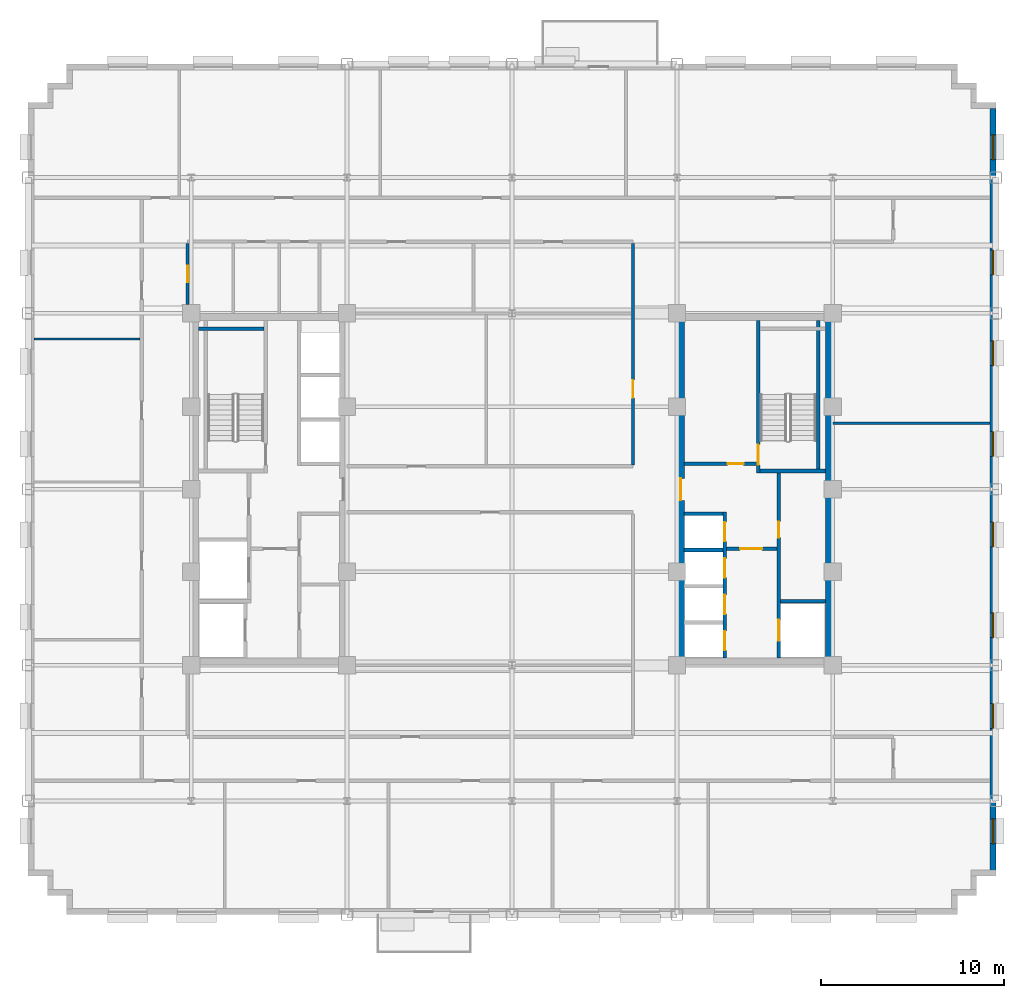
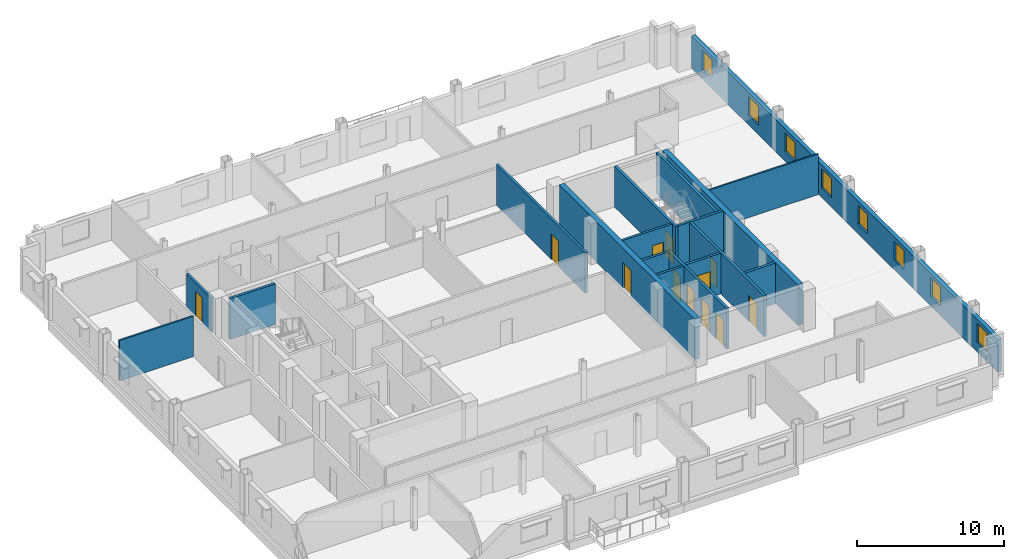
# One storey, part 8 of 14: 18 walls, 12 doors, 8 windows, 20 openings.
"""IFC4 building model written with IfcOpenShell, lengths in metres."""

import ifcopenshell
import ifcopenshell.guid

model = None  # the IFC model being written
_history = None  # IfcOwnerHistory: only IFC2X3 demands one
_inside = {}  # id of a spatial element -> (the spatial element, [elements in it])
_under = {}  # id of a project, library or spatial element -> (it, [spatial elements below it])
_declared = {}  # id of a project -> (the project, [libraries it declares])
_typed = {}  # id of a type object -> (the type object, [elements of that type])
_made_of = {}  # id of a material, layer set ... -> (it, [elements and type objects made of it])


def new_model(schema):
    """Start an empty IFC model of exactly this schema.

    Asked for "IFC4X3", IfcOpenShell would pick the latest addendum, in which some entities
    have other attributes; the version numbers below select the first issue.
    IFC2X3 requires an IfcOwnerHistory on every rooted entity: one is made here for all.
    """
    global model, _history
    if schema == "IFC4X3":
        model = ifcopenshell.file(schema_version=(4, 3, 0, 0))
    else:
        model = ifcopenshell.file(schema=schema)
    _inside.clear()
    _under.clear()
    _declared.clear()
    _typed.clear()
    _made_of.clear()
    _history = None
    if model.schema == "IFC2X3":
        org = make("IfcOrganization", Name="unknown")
        user = make(
            "IfcPersonAndOrganization",
            ThePerson=make("IfcPerson", FamilyName="unknown"),
            TheOrganization=org,
        )
        app = make(
            "IfcApplication",
            ApplicationDeveloper=org,
            Version="unknown",
            ApplicationFullName="unknown",
            ApplicationIdentifier="unknown",
        )
        _history = make(
            "IfcOwnerHistory",
            OwningUser=user,
            OwningApplication=app,
            ChangeAction="ADDED",
            CreationDate=0,
        )
    return model


def make(cls, **values):
    """One entity of the class cls with the attributes given. An attribute that is None is left unset."""
    return model.create_entity(
        cls, **{name: value for name, value in values.items() if value is not None}
    )


def rooted(cls, **values):
    """An entity with a GlobalId (a new one), such as an element, a storey or a relation."""
    return make(cls, GlobalId=ifcopenshell.guid.new(), OwnerHistory=_history, **values)


def si_unit(unit_type, name, prefix=None):
    """IfcSIUnit, for example si_unit("LENGTHUNIT", "METRE", prefix="MILLI")."""
    return make("IfcSIUnit", UnitType=unit_type, Prefix=prefix, Name=name)


def assignment(units):
    """IfcUnitAssignment: the units of a project."""
    return None if units is None else make("IfcUnitAssignment", Units=units)


def point(xyz):
    """IfcCartesianPoint."""
    return None if xyz is None else make("IfcCartesianPoint", Coordinates=xyz)


def direction(xyz):
    """IfcDirection."""
    return None if xyz is None else make("IfcDirection", DirectionRatios=xyz)


def frame(location, z_axis=None, x_axis=None):
    """IfcAxis2Placement3D, a coordinate frame: its origin and axes. An axis left out is left unset."""
    return make(
        "IfcAxis2Placement3D",
        Location=point(location),
        Axis=direction(z_axis),
        RefDirection=direction(x_axis),
    )


def frame_2d(location, x_axis=None):
    """IfcAxis2Placement2D, a coordinate frame in the plane: its origin and x axis."""
    return make(
        "IfcAxis2Placement2D", Location=point(location), RefDirection=direction(x_axis)
    )


def origin():
    """The frame at (0, 0, 0) with its axes left unset."""
    return frame((0.0, 0.0, 0.0))


def place(relative_to, where):
    """IfcLocalPlacement: puts the frame where relative to a parent placement (None: the world)."""
    return make(
        "IfcLocalPlacement", PlacementRelTo=relative_to, RelativePlacement=where
    )


def context(
    kind, dimensions, precision=None, world=None, true_north=None, identifier=None
):
    """IfcGeometricRepresentationContext, for example the 3D "Model" context."""
    return make(
        "IfcGeometricRepresentationContext",
        ContextIdentifier=identifier,
        ContextType=kind,
        CoordinateSpaceDimension=dimensions,
        Precision=precision,
        WorldCoordinateSystem=world,
        TrueNorth=true_north,
    )


def subcontext(parent, identifier, kind, view, scale=None):
    """IfcGeometricRepresentationSubContext, for example "Body" below "Model"."""
    return make(
        "IfcGeometricRepresentationSubContext",
        ContextIdentifier=identifier,
        ContextType=kind,
        ParentContext=parent,
        TargetScale=scale,
        TargetView=view,
    )


def project(units=None, contexts=None):
    """IfcProject with its units and contexts."""
    return rooted(
        "IfcProject",
        Name="project",
        RepresentationContexts=contexts,
        UnitsInContext=assignment(units),
    )


def spatial(cls, under=None, at=None, **own):
    """A site, building, storey or space (cls), placed at a placement, below another one or the project."""
    s = rooted(cls, ObjectPlacement=at, **own)
    if under is not None:
        _under.setdefault(under.id(), (under, []))[1].append(s)
    return s


def profile(cls, at=None, kind="AREA", **sizes):
    """A parametric profile (cls). Its sizes go by their IFC names, for example OverallWidth=200.0."""
    return make(cls, ProfileType=kind, Position=at, **sizes)


def rectangle(**sizes):
    """IfcRectangleProfileDef."""
    return profile("IfcRectangleProfileDef", **sizes)


def extrude(swept, where, along, depth):
    """IfcExtrudedAreaSolid: the profile swept, set in the frame where, extruded along a direction by depth."""
    return make(
        "IfcExtrudedAreaSolid",
        SweptArea=swept,
        Position=where,
        ExtrudedDirection=direction(along),
        Depth=depth,
    )


def shape(context_of_items, identifier, shape_type, items):
    """IfcShapeRepresentation: the items that make up one representation, for example the "Body"."""
    return make(
        "IfcShapeRepresentation",
        ContextOfItems=context_of_items,
        RepresentationIdentifier=identifier,
        RepresentationType=shape_type,
        Items=items,
    )


def source(mapping_origin, context_of_items, identifier, shape_type, items):
    """IfcRepresentationMap: a shape defined once, which mapped items show again and again."""
    return make(
        "IfcRepresentationMap",
        MappingOrigin=mapping_origin,
        MappedRepresentation=shape(context_of_items, identifier, shape_type, items),
    )


def transform(
    local_origin,
    x_axis=None,
    y_axis=None,
    z_axis=None,
    scale=None,
    scale2=None,
    scale3=None,
    uniform=True,
):
    """IfcCartesianTransformationOperator3D, or its non-uniform kind. x_axis, y_axis, z_axis: its Axis1, 2, 3."""
    if uniform:
        return make(
            "IfcCartesianTransformationOperator3D",
            Axis1=direction(x_axis),
            Axis2=direction(y_axis),
            LocalOrigin=point(local_origin),
            Scale=scale,
            Axis3=direction(z_axis),
        )
    return make(
        "IfcCartesianTransformationOperator3DnonUniform",
        Axis1=direction(x_axis),
        Axis2=direction(y_axis),
        LocalOrigin=point(local_origin),
        Scale=scale,
        Axis3=direction(z_axis),
        Scale2=scale2,
        Scale3=scale3,
    )


def mapped(mapping_source, mapping_target):
    """IfcMappedItem: shows the shape of a source again, moved by a transform."""
    return make(
        "IfcMappedItem", MappingSource=mapping_source, MappingTarget=mapping_target
    )


def material(Name=None, Category=None):
    """IfcMaterial."""
    return make("IfcMaterial", Name=Name, Category=Category)


def layer(
    of_material, thickness, ventilated=None, Name=None, Category=None, Priority=None
):
    """IfcMaterialLayer: one layer of a wall or slab, of a material (None: an air gap)."""
    return make(
        "IfcMaterialLayer",
        Material=of_material,
        LayerThickness=thickness,
        IsVentilated=ventilated,
        Name=Name,
        Category=Category,
        Priority=Priority,
    )


def layer_set(layers, Name=None):
    """IfcMaterialLayerSet."""
    return make("IfcMaterialLayerSet", MaterialLayers=layers, LayerSetName=Name)


def made_of(thing, what):
    """Note that an element or type object is made of a material, layer set ...; save() writes the relation."""
    if what is not None:
        _made_of.setdefault(what.id(), (what, []))[1].append(thing)
    return thing


def type_object(cls, material=None, **own):
    """A type object (cls), such as IfcWallType, which elements share."""
    return made_of(rooted(cls, **own), material)


def type_shapes(of_type, sources):
    """Give a type object the sources (RepresentationMaps) that its elements show as mapped items."""
    of_type.RepresentationMaps = sources


def element(
    cls,
    number,
    at=None,
    inside=None,
    cuts=None,
    type_object=None,
    material=None,
    context=None,
    identifier="Body",
    shape_type=None,
    held_by="IfcProductDefinitionShape",
    body=None,
    shapes=None,
    **own,
):
    """One element of the class cls, such as IfcWall. Its Tag is "e" and its number.

    at: its placement. inside: the storey or other place that contains it. cuts: it is an
    opening in that element (IfcRelVoidsElement). A single representation is given by context,
    identifier, shape_type and body (its items); several are given by shapes. held_by: the class
    of the entity that holds the representations. save() writes the other relations.
    """
    e = rooted(cls, Tag="e%d" % number, ObjectPlacement=at, **own)
    if body is not None:
        shapes = [shape(context, identifier, shape_type, body)]
    if shapes is not None:
        e.Representation = make(held_by, Representations=shapes)
    if inside is not None:
        _inside.setdefault(inside.id(), (inside, []))[1].append(e)
    if cuts is not None:
        rooted(
            "IfcRelVoidsElement", RelatingBuildingElement=cuts, RelatedOpeningElement=e
        )
    if type_object is not None:
        _typed.setdefault(type_object.id(), (type_object, []))[1].append(e)
    return made_of(e, material)


def fill(opening, filler):
    """IfcRelFillsElement: the door or window that sits in an opening."""
    return rooted(
        "IfcRelFillsElement",
        RelatingOpeningElement=opening,
        RelatedBuildingElement=filler,
    )


def aggregate(whole, parts):
    """IfcRelAggregates: a whole, such as a stair, and the parts it consists of."""
    return rooted("IfcRelAggregates", RelatingObject=whole, RelatedObjects=parts)


def save(model, path):
    """Write the relations noted so far, then the file.

    IfcRelAggregates (storeys below a building ...), IfcRelContainedInSpatialStructure (elements
    in a storey), IfcRelDefinesByType, IfcRelAssociatesMaterial and IfcRelDeclares: one each for
    every whole, place, type object, material and project.
    """
    for whole, parts in _under.values():
        aggregate(whole, parts)
    for where, things in _inside.values():
        rooted(
            "IfcRelContainedInSpatialStructure",
            RelatedElements=things,
            RelatingStructure=where,
        )
    for kind, things in _typed.values():
        rooted("IfcRelDefinesByType", RelatedObjects=things, RelatingType=kind)
    for what, things in _made_of.values():
        rooted("IfcRelAssociatesMaterial", RelatedObjects=things, RelatingMaterial=what)
    for by, libraries in _declared.values():
        rooted("IfcRelDeclares", RelatingContext=by, RelatedDefinitions=libraries)
    model.write(path)


model = new_model("IFC4")

# Units and contexts
model_context = context("Model", 3, precision=1e-05, world=origin(), true_north=direction((0.0, 1.0)))
body_context = subcontext(model_context, "Body", "Model", "MODEL_VIEW")
ifc_project = project(units=[si_unit("LENGTHUNIT", "METRE"), si_unit("AREAUNIT", "SQUARE_METRE"), si_unit("VOLUMEUNIT", "CUBIC_METRE"), si_unit("PLANEANGLEUNIT", "RADIAN"), si_unit("MASSUNIT", "GRAM", prefix="KILO")], contexts=[model_context])

# Site, building, storey
site_placement = place(None, origin())
site = spatial("IfcSite", under=ifc_project, at=site_placement, CompositionType="ELEMENT")
building_placement = place(site_placement, origin())
building = spatial("IfcBuilding", under=site, at=building_placement, Name="Nuvemarco Arch Tower", CompositionType="ELEMENT")
storey_placement = place(building_placement, frame((0.0, 0.0, 160.35009765625)))
storey = spatial("IfcBuildingStorey", under=building, at=storey_placement, Name="L42", CompositionType="ELEMENT", Elevation=160.35009765625)

# Wall, openings, windows
ifc_material_1 = material(Name="Precast concrete C45/55", Category="concrete")
ifc_layer_1 = layer(ifc_material_1, 0.320068359375, Name="EW-MID-320")
ifc_layer_set_1 = layer_set([ifc_layer_1], Name="Precast concrete C45/55")
wall_type_1 = type_object("IfcWallType", Name="EW-MID-320", PredefinedType="STANDARD", material=ifc_layer_set_1)
wall_1_placement = place(storey_placement, frame((26.239990234375, -20.783935546875, 0.0), z_axis=(0.0, 0.0, 1.0), x_axis=(0.0, 1.0, 0.0)))
wall_1 = element("IfcWall", 1, at=wall_1_placement, inside=storey, type_object=wall_type_1, Name="L42 exterior precast facade wall 6", PredefinedType="STANDARD", context=body_context, shape_type="SweptSolid", body=[
    extrude(rectangle(XDim=41.56787109375, YDim=0.320068359375, at=frame_2d((20.783935546875, 0.0))), origin(), (0.0, 0.0, 1.0), 2.704833984375),
])
opening_1_placement = place(wall_1_placement, frame((1.447998046875, 0.0, 0.800048828125)))
opening_1 = element("IfcOpeningElement", 2, at=opening_1_placement, cuts=wall_1, Name="Opening WN-6", PredefinedType="OPENING", context=body_context, shape_type="SweptSolid", body=[
    extrude(rectangle(XDim=1.35009765625, YDim=1.56005859375, at=frame_2d((0.675048828125, 0.780029296875))), frame((0.0, 0.169921875, 0.0), z_axis=(0.0, -1.0, 0.0), x_axis=(1.0, 0.0, 0.0)), (0.0, 0.0, 1.0), 0.340087890625),
])
opening_2_placement = place(wall_1_placement, frame((7.743896484375, 0.0, 0.800048828125)))
opening_2 = element("IfcOpeningElement", 3, at=opening_2_placement, cuts=wall_1, Name="Opening WN-6", PredefinedType="OPENING", context=body_context, shape_type="SweptSolid", body=[
    extrude(rectangle(XDim=1.35009765625, YDim=1.56005859375, at=frame_2d((0.675048828125, 0.780029296875))), frame((0.0, 0.169921875, 0.0), z_axis=(0.0, -1.0, 0.0), x_axis=(1.0, 0.0, 0.0)), (0.0, 0.0, 1.0), 0.340087890625),
])
opening_3_placement = place(wall_1_placement, frame((12.68994140625, 0.0, 0.800048828125)))
opening_3 = element("IfcOpeningElement", 4, at=opening_3_placement, cuts=wall_1, Name="Opening WN-6", PredefinedType="OPENING", context=body_context, shape_type="SweptSolid", body=[
    extrude(rectangle(XDim=1.35009765625, YDim=1.56005859375, at=frame_2d((0.675048828125, 0.780029296875))), frame((0.0, 0.169921875, 0.0), z_axis=(0.0, -1.0, 0.0), x_axis=(1.0, 0.0, 0.0)), (0.0, 0.0, 1.0), 0.340087890625),
])
opening_4_placement = place(wall_1_placement, frame((17.635986328125, 0.0, 0.800048828125)))
opening_4 = element("IfcOpeningElement", 5, at=opening_4_placement, cuts=wall_1, Name="Opening WN-6", PredefinedType="OPENING", context=body_context, shape_type="SweptSolid", body=[
    extrude(rectangle(XDim=1.35009765625, YDim=1.56005859375, at=frame_2d((0.675048828125, 0.780029296875))), frame((0.0, 0.169921875, 0.0), z_axis=(0.0, -1.0, 0.0), x_axis=(1.0, 0.0, 0.0)), (0.0, 0.0, 1.0), 0.340087890625),
])
opening_5_placement = place(wall_1_placement, frame((22.58203125, 0.0, 0.800048828125)))
opening_5 = element("IfcOpeningElement", 6, at=opening_5_placement, cuts=wall_1, Name="Opening WN-6", PredefinedType="OPENING", context=body_context, shape_type="SweptSolid", body=[
    extrude(rectangle(XDim=1.35009765625, YDim=1.56005859375, at=frame_2d((0.675048828125, 0.780029296875))), frame((0.0, 0.169921875, 0.0), z_axis=(0.0, -1.0, 0.0), x_axis=(1.0, 0.0, 0.0)), (0.0, 0.0, 1.0), 0.340087890625),
])
opening_6_placement = place(wall_1_placement, frame((27.528076171875, 0.0, 0.800048828125)))
opening_6 = element("IfcOpeningElement", 7, at=opening_6_placement, cuts=wall_1, Name="Opening WN-6", PredefinedType="OPENING", context=body_context, shape_type="SweptSolid", body=[
    extrude(rectangle(XDim=1.35009765625, YDim=1.56005859375, at=frame_2d((0.675048828125, 0.780029296875))), frame((0.0, 0.169921875, 0.0), z_axis=(0.0, -1.0, 0.0), x_axis=(1.0, 0.0, 0.0)), (0.0, 0.0, 1.0), 0.340087890625),
])
opening_7_placement = place(wall_1_placement, frame((32.47412109375, 0.0, 0.800048828125)))
opening_7 = element("IfcOpeningElement", 8, at=opening_7_placement, cuts=wall_1, Name="Opening WN-6", PredefinedType="OPENING", context=body_context, shape_type="SweptSolid", body=[
    extrude(rectangle(XDim=1.35009765625, YDim=1.56005859375, at=frame_2d((0.675048828125, 0.780029296875))), frame((0.0, 0.169921875, 0.0), z_axis=(0.0, -1.0, 0.0), x_axis=(1.0, 0.0, 0.0)), (0.0, 0.0, 1.0), 0.340087890625),
])
opening_8_placement = place(wall_1_placement, frame((38.77001953125, 0.0, 0.800048828125)))
opening_8 = element("IfcOpeningElement", 9, at=opening_8_placement, cuts=wall_1, Name="Opening WN-6", PredefinedType="OPENING", context=body_context, shape_type="SweptSolid", body=[
    extrude(rectangle(XDim=1.35009765625, YDim=1.56005859375, at=frame_2d((0.675048828125, 0.780029296875))), frame((0.0, 0.169921875, 0.0), z_axis=(0.0, -1.0, 0.0), x_axis=(1.0, 0.0, 0.0)), (0.0, 0.0, 1.0), 0.340087890625),
])
ifc_material_2 = material(Name="Insulated solar-control glass", Category="glass")
window_type = type_object("IfcWindowType", Name="WN-MID-1350x1560", PartitioningType="SINGLE_PANEL", PredefinedType="WINDOW", material=ifc_material_2)
shared_shape_1 = source(origin(), body_context, "Body", "SweptSolid", [
    extrude(rectangle(XDim=1.35009765625, YDim=1.56005859375, at=frame_2d((0.675048828125, 0.780029296875))), frame((0.0, 0.030029296875, 0.0), z_axis=(0.0, -1.0, 0.0), x_axis=(1.0, 0.0, 0.0)), (0.0, 0.0, 1.0), 0.06005859375),
])
type_shapes(window_type, [shared_shape_1])
window_1_placement = place(opening_1_placement, origin())
window_1 = element("IfcWindow", 10, at=window_1_placement, inside=storey, type_object=window_type, Name="L42 punched facade window 1", OverallHeight=1.56005859375, OverallWidth=1.35009765625, PartitioningType="SINGLE_PANEL", PredefinedType="WINDOW", context=body_context, shape_type="MappedRepresentation", body=[
    mapped(shared_shape_1, transform((0.0, 0.0, 0.0), scale=1.0)),
])
fill(opening_1, window_1)
window_2_placement = place(opening_2_placement, origin())
window_2 = element("IfcWindow", 11, at=window_2_placement, inside=storey, type_object=window_type, Name="L42 punched facade window 2", OverallHeight=1.56005859375, OverallWidth=1.35009765625, PartitioningType="SINGLE_PANEL", PredefinedType="WINDOW", context=body_context, shape_type="MappedRepresentation", body=[
    mapped(shared_shape_1, transform((0.0, 0.0, 0.0), scale=1.0)),
])
fill(opening_2, window_2)
window_3_placement = place(opening_3_placement, origin())
window_3 = element("IfcWindow", 12, at=window_3_placement, inside=storey, type_object=window_type, Name="L42 punched facade window 3", OverallHeight=1.56005859375, OverallWidth=1.35009765625, PartitioningType="SINGLE_PANEL", PredefinedType="WINDOW", context=body_context, shape_type="MappedRepresentation", body=[
    mapped(shared_shape_1, transform((0.0, 0.0, 0.0), scale=1.0)),
])
fill(opening_3, window_3)
window_4_placement = place(opening_4_placement, origin())
window_4 = element("IfcWindow", 13, at=window_4_placement, inside=storey, type_object=window_type, Name="L42 punched facade window 4", OverallHeight=1.56005859375, OverallWidth=1.35009765625, PartitioningType="SINGLE_PANEL", PredefinedType="WINDOW", context=body_context, shape_type="MappedRepresentation", body=[
    mapped(shared_shape_1, transform((0.0, 0.0, 0.0), scale=1.0)),
])
fill(opening_4, window_4)
window_5_placement = place(opening_5_placement, origin())
window_5 = element("IfcWindow", 14, at=window_5_placement, inside=storey, type_object=window_type, Name="L42 punched facade window 5", OverallHeight=1.56005859375, OverallWidth=1.35009765625, PartitioningType="SINGLE_PANEL", PredefinedType="WINDOW", context=body_context, shape_type="MappedRepresentation", body=[
    mapped(shared_shape_1, transform((0.0, 0.0, 0.0), scale=1.0)),
])
fill(opening_5, window_5)
window_6_placement = place(opening_6_placement, origin())
window_6 = element("IfcWindow", 15, at=window_6_placement, inside=storey, type_object=window_type, Name="L42 punched facade window 6", OverallHeight=1.56005859375, OverallWidth=1.35009765625, PartitioningType="SINGLE_PANEL", PredefinedType="WINDOW", context=body_context, shape_type="MappedRepresentation", body=[
    mapped(shared_shape_1, transform((0.0, 0.0, 0.0), scale=1.0)),
])
fill(opening_6, window_6)
window_7_placement = place(opening_7_placement, origin())
window_7 = element("IfcWindow", 16, at=window_7_placement, inside=storey, type_object=window_type, Name="L42 punched facade window 7", OverallHeight=1.56005859375, OverallWidth=1.35009765625, PartitioningType="SINGLE_PANEL", PredefinedType="WINDOW", context=body_context, shape_type="MappedRepresentation", body=[
    mapped(shared_shape_1, transform((0.0, 0.0, 0.0), scale=1.0)),
])
fill(opening_7, window_7)
window_8_placement = place(opening_8_placement, origin())
window_8 = element("IfcWindow", 17, at=window_8_placement, inside=storey, type_object=window_type, Name="L42 punched facade window 8", OverallHeight=1.56005859375, OverallWidth=1.35009765625, PartitioningType="SINGLE_PANEL", PredefinedType="WINDOW", context=body_context, shape_type="MappedRepresentation", body=[
    mapped(shared_shape_1, transform((0.0, 0.0, 0.0), scale=1.0)),
])
fill(opening_8, window_8)

# Wall, opening, door
ifc_material_3 = material(Name="Concrete C60/75", Category="concrete")
ifc_layer_2 = layer(ifc_material_3, 0.39990234375, Name="WL-CORE-400")
ifc_layer_set_2 = layer_set([ifc_layer_2], Name="Concrete C60/75")
wall_type_2 = type_object("IfcWallType", Name="WL-CORE-400", PredefinedType="SHEAR", material=ifc_layer_set_2)
wall_2_placement = place(storey_placement, frame((9.199951171875, -9.205078125, 0.0), z_axis=(0.0, 0.0, 1.0), x_axis=(0.0, 1.0, 0.0)))
wall_2 = element("IfcWall", 18, at=wall_2_placement, inside=storey, type_object=wall_type_2, Name="L42 E-core shear wall W", PredefinedType="SHEAR", context=body_context, shape_type="SweptSolid", body=[
    extrude(rectangle(XDim=18.41015625, YDim=0.39990234375, at=frame_2d((9.205078125, 0.0))), origin(), (0.0, 0.0, 1.0), 3.369873046875),
])
opening_9_placement = place(wall_2_placement, frame((8.60498046875, 0.0, 0.0)))
opening_9 = element("IfcOpeningElement", 19, at=opening_9_placement, cuts=wall_2, Name="Opening FD-2", PredefinedType="OPENING", context=body_context, shape_type="SweptSolid", body=[
    extrude(rectangle(XDim=1.199951171875, YDim=2.14990234375, at=frame_2d((0.60009765625, 1.074951171875))), frame((0.0, 0.2099609375, 0.0), z_axis=(0.0, -1.0, 0.0), x_axis=(1.0, 0.0, 0.0)), (0.0, 0.0, 1.0), 0.419921875),
])
ifc_material_4 = material(Name="Anodised steel fire door", Category="steel")
door_type_1 = type_object("IfcDoorType", Name="DR-FFLOB-FD", OperationType="NOTDEFINED", PredefinedType="DOOR", material=ifc_material_4)
shared_shape_2 = source(origin(), body_context, "Body", "SweptSolid", [
    extrude(rectangle(XDim=1.199951171875, YDim=2.14990234375, at=frame_2d((0.60009765625, 1.074951171875))), frame((0.0, 0.02490234375, 0.0), z_axis=(0.0, -1.0, 0.0), x_axis=(1.0, 0.0, 0.0)), (0.0, 0.0, 1.0), 0.050048828125),
])
type_shapes(door_type_1, [shared_shape_2])
door_1_placement = place(opening_9_placement, origin())
door_1 = element("IfcDoor", 20, at=door_1_placement, inside=storey, type_object=door_type_1, Name="L42 door FD-L42-ECORE-W", OperationType="SINGLE_SWING_LEFT", OverallHeight=2.14990234375, OverallWidth=1.199951171875, PredefinedType="DOOR", context=body_context, shape_type="MappedRepresentation", body=[
    mapped(shared_shape_2, transform((0.0, 0.0, 0.0), scale=1.0)),
])
fill(opening_9, door_1)

# Wall
wall_3_placement = place(storey_placement, frame((17.300048828125, -9.205078125, 0.0), z_axis=(0.0, 0.0, 1.0), x_axis=(0.0, 1.0, 0.0)))
element("IfcWall", 21, at=wall_3_placement, inside=storey, type_object=wall_type_2, Name="L42 E-core shear wall E", PredefinedType="SHEAR", context=body_context, shape_type="SweptSolid", body=[
    extrude(rectangle(XDim=18.41015625, YDim=0.39990234375, at=frame_2d((9.205078125, 0.0))), origin(), (0.0, 0.0, 1.0), 3.369873046875),
])

# Wall, opening, door
ifc_material_5 = material(Name="Fire-rated gypsum drywall partition")
ifc_layer_3 = layer(ifc_material_5, 0.179931640625, Name="WL-CORR-180")
ifc_layer_set_3 = layer_set([ifc_layer_3], Name="Fire-rated gypsum drywall partition")
wall_type_3 = type_object("IfcWallType", Name="WL-CORR-180", PredefinedType="PARTITIONING", material=ifc_layer_set_3)
wall_4_placement = place(storey_placement, frame((9.39501953125, 1.39990234375, 0.0), z_axis=(0.0, 0.0, 1.0), x_axis=(1.0, 0.0, 0.0)))
wall_4 = element("IfcWall", 22, at=wall_4_placement, inside=storey, type_object=wall_type_3, Name="L42 interior wall IW-L42-EK-S", PredefinedType="PARTITIONING", context=body_context, shape_type="SweptSolid", body=[
    extrude(rectangle(XDim=3.949951171875, YDim=0.179931640625, at=frame_2d((1.97509765625, 0.0))), origin(), (0.0, 0.0, 1.0), 3.35986328125),
])
opening_10_placement = place(wall_4_placement, frame((2.364990234375, 0.0, 0.0)))
opening_10 = element("IfcOpeningElement", 23, at=opening_10_placement, cuts=wall_4, Name="Opening FD-4", PredefinedType="OPENING", context=body_context, shape_type="SweptSolid", body=[
    extrude(rectangle(XDim=0.8798828125, YDim=2.10009765625, at=frame_2d((0.43994140625, 1.050048828125))), frame((0.0, 0.099853515625, 0.0), z_axis=(0.0, -1.0, 0.0), x_axis=(1.0, 0.0, 0.0)), (0.0, 0.0, 1.0), 0.199951171875),
])
door_type_2 = type_object("IfcDoorType", Name="DR-RISER-FD", OperationType="NOTDEFINED", PredefinedType="DOOR", material=ifc_material_4)
shared_shape_3 = source(origin(), body_context, "Body", "SweptSolid", [
    extrude(rectangle(XDim=0.8798828125, YDim=2.10009765625, at=frame_2d((0.43994140625, 1.050048828125))), frame((0.0, 0.02490234375, 0.0), z_axis=(0.0, -1.0, 0.0), x_axis=(1.0, 0.0, 0.0)), (0.0, 0.0, 1.0), 0.050048828125),
])
type_shapes(door_type_2, [shared_shape_3])
door_2_placement = place(opening_10_placement, origin())
door_2 = element("IfcDoor", 24, at=door_2_placement, inside=storey, type_object=door_type_2, Name="L42 door FD-L42-EK1A", OperationType="SINGLE_SWING_RIGHT", OverallHeight=2.10009765625, OverallWidth=0.8798828125, PredefinedType="DOOR", context=body_context, shape_type="MappedRepresentation", body=[
    mapped(shared_shape_3, transform((0.0, 0.0, 0.0), scale=1.0)),
])
fill(opening_10, door_2)

wall_5_placement = place(storey_placement, frame((-17.699951171875, 10.071044921875, 0.0), z_axis=(0.0, 0.0, 1.0), x_axis=(0.0, 1.0, 0.0)))
wall_5 = element("IfcWall", 25, at=wall_5_placement, inside=storey, type_object=wall_type_3, Name="L42 interior wall IW-L42-020", PredefinedType="PARTITIONING", context=body_context, shape_type="SweptSolid", body=[
    extrude(rectangle(XDim=3.343017578125, YDim=0.179931640625, at=frame_2d((1.67138671875, 0.0))), origin(), (0.0, 0.0, 1.0), 2.81591796875),
])
opening_11_placement = place(wall_5_placement, frame((1.221435546875, 0.0, 0.0)))
opening_11 = element("IfcOpeningElement", 26, at=opening_11_placement, cuts=wall_5, Name="Opening ID-3", PredefinedType="OPENING", context=body_context, shape_type="SweptSolid", body=[
    extrude(rectangle(XDim=0.89990234375, YDim=2.10009765625, at=frame_2d((0.449951171875, 1.050048828125))), frame((0.0, 0.099853515625, 0.0), z_axis=(0.0, -1.0, 0.0), x_axis=(1.0, 0.0, 0.0)), (0.0, 0.0, 1.0), 0.199951171875),
])
ifc_material_6 = material(Name="Veneered oak timber fire door", Category="wood")
door_type_3 = type_object("IfcDoorType", Name="DR-WC-ACC", OperationType="NOTDEFINED", PredefinedType="DOOR", material=ifc_material_6)
shared_shape_4 = source(origin(), body_context, "Body", "SweptSolid", [
    extrude(rectangle(XDim=0.89990234375, YDim=2.10009765625, at=frame_2d((0.449951171875, 1.050048828125))), frame((0.0, 0.02490234375, 0.0), z_axis=(0.0, -1.0, 0.0), x_axis=(1.0, 0.0, 0.0)), (0.0, 0.0, 1.0), 0.050048828125),
])
type_shapes(door_type_3, [shared_shape_4])
door_3_placement = place(opening_11_placement, origin())
door_3 = element("IfcDoor", 27, at=door_3_placement, inside=storey, type_object=door_type_3, Name="L42 door DR-L42-WC_M", OperationType="SINGLE_SWING_RIGHT", OverallHeight=2.10009765625, OverallWidth=0.89990234375, PredefinedType="DOOR", context=body_context, shape_type="MappedRepresentation", body=[
    mapped(shared_shape_4, transform((0.0, 0.0, 0.0), scale=1.0)),
])
fill(opening_11, door_3)

wall_6_placement = place(storey_placement, frame((6.60009765625, 1.3359375, 0.0), z_axis=(0.0, 0.0, 1.0), x_axis=(0.0, 1.0, 0.0)))
wall_6 = element("IfcWall", 28, at=wall_6_placement, inside=storey, type_object=wall_type_3, Name="L42 interior wall IW-L42-032", PredefinedType="PARTITIONING", context=body_context, shape_type="SweptSolid", body=[
    extrude(rectangle(XDim=12.078125, YDim=0.179931640625, at=frame_2d((6.0390625, 0.0))), origin(), (0.0, 0.0, 1.0), 3.35986328125),
])
opening_12_placement = place(wall_6_placement, frame((3.652099609375, 0.0, 0.0)))
opening_12 = element("IfcOpeningElement", 29, at=opening_12_placement, cuts=wall_6, Name="Opening FD-5", PredefinedType="OPENING", context=body_context, shape_type="SweptSolid", body=[
    extrude(rectangle(XDim=0.9599609375, YDim=2.10009765625, at=frame_2d((0.47998046875, 1.050048828125))), frame((0.0, 0.099853515625, 0.0), z_axis=(0.0, -1.0, 0.0), x_axis=(1.0, 0.0, 0.0)), (0.0, 0.0, 1.0), 0.199951171875),
])
ifc_material_7 = material(Name="Timber fire door", Category="wood")
door_type_4 = type_object("IfcDoorType", Name="DR-CORR-FD", OperationType="NOTDEFINED", PredefinedType="DOOR", material=ifc_material_7)
shared_shape_5 = source(origin(), body_context, "Body", "SweptSolid", [
    extrude(rectangle(XDim=0.9599609375, YDim=2.10009765625, at=frame_2d((0.47998046875, 1.050048828125))), frame((0.0, 0.02490234375, 0.0), z_axis=(0.0, -1.0, 0.0), x_axis=(1.0, 0.0, 0.0)), (0.0, 0.0, 1.0), 0.050048828125),
])
type_shapes(door_type_4, [shared_shape_5])
door_4_placement = place(opening_12_placement, origin())
door_4 = element("IfcDoor", 30, at=door_4_placement, inside=storey, type_object=door_type_4, Name="L42 door DR-L42-C_N2", OperationType="SINGLE_SWING_RIGHT", OverallHeight=2.10009765625, OverallWidth=0.9599609375, PredefinedType="DOOR", context=body_context, shape_type="MappedRepresentation", body=[
    mapped(shared_shape_5, transform((0.0, 0.0, 0.0), scale=1.0)),
])
fill(opening_12, door_4)

# Walls
ifc_material_8 = material(Name="Glazed acoustic office partition")
ifc_layer_4 = layer(ifc_material_8, 0.1298828125, Name="WL-EXEC-130")
ifc_layer_set_4 = layer_set([ifc_layer_4], Name="Glazed acoustic office partition")
wall_type_4 = type_object("IfcWallType", Name="WL-EXEC-130", PredefinedType="PARTITIONING", material=ifc_layer_set_4)
wall_7_placement = place(storey_placement, frame((17.5, 3.60009765625, 0.0), z_axis=(0.0, 0.0, 1.0), x_axis=(1.0, 0.0, 0.0)))
element("IfcWall", 31, at=wall_7_placement, inside=storey, type_object=wall_type_4, Name="L42 interior wall IW-L42-010", PredefinedType="PARTITIONING", context=body_context, shape_type="SweptSolid", body=[
    extrude(rectangle(XDim=8.580078125, YDim=0.1298828125, at=frame_2d((4.2900390625, 0.0))), origin(), (0.0, 0.0, 1.0), 3.35986328125),
])
wall_8_placement = place(storey_placement, frame((-26.080078125, 8.199951171875, 0.0), z_axis=(0.0, 0.0, 1.0), x_axis=(1.0, 0.0, 0.0)))
element("IfcWall", 32, at=wall_8_placement, inside=storey, type_object=wall_type_4, Name="L42 interior wall IW-L42-011", PredefinedType="PARTITIONING", context=body_context, shape_type="SweptSolid", body=[
    extrude(rectangle(XDim=5.794189453125, YDim=0.1298828125, at=frame_2d((2.89697265625, 0.0))), origin(), (0.0, 0.0, 1.0), 3.35986328125),
])
ifc_material_9 = material(Name="Concrete C50/60", Category="concrete")
ifc_layer_5 = layer(ifc_material_9, 0.199951171875, Name="WL-SHAFT-220")
ifc_layer_set_5 = layer_set([ifc_layer_5], Name="Concrete C50/60")
wall_type_5 = type_object("IfcWallType", Name="WL-SHAFT-220", PredefinedType="SHEAR", material=ifc_layer_set_5)
wall_9_placement = place(storey_placement, frame((-17.10498046875, 8.75, 0.0), z_axis=(0.0, 0.0, 1.0), x_axis=(1.0, 0.0, 0.0)))
element("IfcWall", 33, at=wall_9_placement, inside=storey, type_object=wall_type_5, Name="L42 structural shaft wall SW-L42-W-ST1N", PredefinedType="SHEAR", context=body_context, shape_type="SweptSolid", body=[
    extrude(rectangle(XDim=3.570068359375, YDim=0.199951171875, at=frame_2d((1.78515625, 0.0))), origin(), (0.0, 0.0, 1.0), 3.369873046875),
])

# Wall, opening, door
wall_10_placement = place(storey_placement, frame((13.43994140625, 0.89990234375, 0.0), z_axis=(0.0, 0.0, 1.0), x_axis=(0.0, 1.0, 0.0)))
wall_10 = element("IfcWall", 34, at=wall_10_placement, inside=storey, type_object=wall_type_5, Name="L42 structural shaft wall SW-L42-E-ST2W", PredefinedType="SHEAR", context=body_context, shape_type="SweptSolid", body=[
    extrude(rectangle(XDim=8.30517578125, YDim=0.199951171875, at=frame_2d((4.152587890625, 0.0))), origin(), (0.0, 0.0, 1.0), 3.369873046875),
])
opening_13_placement = place(wall_10_placement, frame((0.429931640625, 0.0, 0.0)))
opening_13 = element("IfcOpeningElement", 35, at=opening_13_placement, cuts=wall_10, Name="Opening FD-1", PredefinedType="OPENING", context=body_context, shape_type="SweptSolid", body=[
    extrude(rectangle(XDim=1.10009765625, YDim=2.14990234375, at=frame_2d((0.550048828125, 1.074951171875))), frame((0.0, 0.10986328125, 0.0), z_axis=(0.0, -1.0, 0.0), x_axis=(1.0, 0.0, 0.0)), (0.0, 0.0, 1.0), 0.219970703125),
])
door_type_5 = type_object("IfcDoorType", Name="DR-STAIR-FD", OperationType="NOTDEFINED", PredefinedType="DOOR", material=ifc_material_4)
shared_shape_6 = source(origin(), body_context, "Body", "SweptSolid", [
    extrude(rectangle(XDim=1.10009765625, YDim=2.14990234375, at=frame_2d((0.550048828125, 1.074951171875))), frame((0.0, 0.02490234375, 0.0), z_axis=(0.0, -1.0, 0.0), x_axis=(1.0, 0.0, 0.0)), (0.0, 0.0, 1.0), 0.050048828125),
])
type_shapes(door_type_5, [shared_shape_6])
door_5_placement = place(opening_13_placement, origin())
door_5 = element("IfcDoor", 36, at=door_5_placement, inside=storey, type_object=door_type_5, Name="L42 door FD-L42-ST2", OperationType="SINGLE_SWING_LEFT", OverallHeight=2.14990234375, OverallWidth=1.10009765625, PredefinedType="DOOR", context=body_context, shape_type="MappedRepresentation", body=[
    mapped(shared_shape_6, transform((0.0, 0.0, 0.0), scale=1.0)),
])
fill(opening_13, door_5)

# Walls
wall_11_placement = place(storey_placement, frame((13.534912109375, 1.0, 0.0), z_axis=(0.0, 0.0, 1.0), x_axis=(1.0, 0.0, 0.0)))
element("IfcWall", 37, at=wall_11_placement, inside=storey, type_object=wall_type_5, Name="L42 structural shaft wall SW-L42-E-ST2S", PredefinedType="SHEAR", context=body_context, shape_type="SweptSolid", body=[
    extrude(rectangle(XDim=3.570068359375, YDim=0.199951171875, at=frame_2d((1.78515625, 0.0))), origin(), (0.0, 0.0, 1.0), 3.369873046875),
])
wall_12_placement = place(storey_placement, frame((16.699951171875, 1.094970703125, 0.0), z_axis=(0.0, 0.0, 1.0), x_axis=(0.0, 1.0, 0.0)))
element("IfcWall", 38, at=wall_12_placement, inside=storey, type_object=wall_type_5, Name="L42 structural shaft wall SW-L42-E-ST2E", PredefinedType="SHEAR", context=body_context, shape_type="SweptSolid", body=[
    extrude(rectangle(XDim=8.110107421875, YDim=0.199951171875, at=frame_2d((4.05517578125, 0.0))), origin(), (0.0, 0.0, 1.0), 3.369873046875),
])

# Wall, openings, doors
wall_13_placement = place(storey_placement, frame((14.550048828125, -9.205078125, 0.0), z_axis=(0.0, 0.0, 1.0), x_axis=(0.0, 1.0, 0.0)))
wall_13 = element("IfcWall", 39, at=wall_13_placement, inside=storey, type_object=wall_type_5, Name="L42 structural shaft wall SW-L42-E-SHW", PredefinedType="SHEAR", context=body_context, shape_type="SweptSolid", body=[
    extrude(rectangle(XDim=10.110107421875, YDim=0.199951171875, at=frame_2d((5.05517578125, 0.0))), origin(), (0.0, 0.0, 1.0), 3.369873046875),
])
opening_14_placement = place(wall_13_placement, frame((6.56494140625, 0.0, 0.0)))
opening_14 = element("IfcOpeningElement", 40, at=opening_14_placement, cuts=wall_13, Name="Opening FD-4", PredefinedType="OPENING", context=body_context, shape_type="SweptSolid", body=[
    extrude(rectangle(XDim=0.8798828125, YDim=2.10009765625, at=frame_2d((0.43994140625, 1.050048828125))), frame((0.0, 0.10986328125, 0.0), z_axis=(0.0, -1.0, 0.0), x_axis=(1.0, 0.0, 0.0)), (0.0, 0.0, 1.0), 0.219970703125),
])
opening_15_placement = place(wall_13_placement, frame((0.929931640625, 0.0, 0.0)))
opening_15 = element("IfcOpeningElement", 41, at=opening_15_placement, cuts=wall_13, Name="Opening LD-2", PredefinedType="OPENING", context=body_context, shape_type="SweptSolid", body=[
    extrude(rectangle(XDim=1.14990234375, YDim=2.14990234375, at=frame_2d((0.574951171875, 1.074951171875))), frame((0.0, 0.10986328125, 0.0), z_axis=(0.0, -1.0, 0.0), x_axis=(1.0, 0.0, 0.0)), (0.0, 0.0, 1.0), 0.219970703125),
])
door_6_placement = place(opening_14_placement, origin())
door_6 = element("IfcDoor", 42, at=door_6_placement, inside=storey, type_object=door_type_2, Name="L42 door FD-L42-ERIS", OperationType="SINGLE_SWING_LEFT", OverallHeight=2.10009765625, OverallWidth=0.8798828125, PredefinedType="DOOR", context=body_context, shape_type="MappedRepresentation", body=[
    mapped(shared_shape_3, transform((0.0, 0.0, 0.0), scale=1.0)),
])
fill(opening_14, door_6)
ifc_material_10 = material(Name="Stainless steel lift door", Category="steel")
door_type_6 = type_object("IfcDoorType", Name="DR-LIFT-FIRE", OperationType="DOUBLE_DOOR_SLIDING", PredefinedType="DOOR", material=ifc_material_10)
shared_shape_7 = source(origin(), body_context, "Body", "SweptSolid", [
    extrude(rectangle(XDim=1.14990234375, YDim=2.14990234375, at=frame_2d((0.574951171875, 1.074951171875))), frame((0.0, 0.02490234375, 0.0), z_axis=(0.0, -1.0, 0.0), x_axis=(1.0, 0.0, 0.0)), (0.0, 0.0, 1.0), 0.050048828125),
])
type_shapes(door_type_6, [shared_shape_7])
door_7_placement = place(opening_15_placement, origin())
door_7 = element("IfcDoor", 43, at=door_7_placement, inside=storey, type_object=door_type_6, Name="L42 Lift landing sliding door FFL-2", OperationType="DOUBLE_DOOR_SLIDING", OverallHeight=2.14990234375, OverallWidth=1.14990234375, PredefinedType="DOOR", context=body_context, shape_type="MappedRepresentation", body=[
    mapped(shared_shape_7, transform((0.0, 0.0, 0.0), scale=1.0)),
])
fill(opening_15, door_7)

# Wall
wall_14_placement = place(storey_placement, frame((14.64501953125, -6.10009765625, 0.0), z_axis=(0.0, 0.0, 1.0), x_axis=(1.0, 0.0, 0.0)))
element("IfcWall", 44, at=wall_14_placement, inside=storey, type_object=wall_type_5, Name="L42 structural shaft wall SW-L42-E-SH1", PredefinedType="SHEAR", context=body_context, shape_type="SweptSolid", body=[
    extrude(rectangle(XDim=2.4599609375, YDim=0.199951171875, at=frame_2d((1.22998046875, 0.0))), origin(), (0.0, 0.0, 1.0), 3.369873046875),
])

# Wall, openings, doors
wall_15_placement = place(storey_placement, frame((11.60009765625, -9.205078125, 0.0), z_axis=(0.0, 0.0, 1.0), x_axis=(0.0, 1.0, 0.0)))
wall_15 = element("IfcWall", 45, at=wall_15_placement, inside=storey, type_object=wall_type_5, Name="L42 structural shaft wall SW-L42-E-PME", PredefinedType="SHEAR", context=body_context, shape_type="SweptSolid", body=[
    extrude(rectangle(XDim=7.97509765625, YDim=0.199951171875, at=frame_2d((3.987548828125, 0.0))), origin(), (0.0, 0.0, 1.0), 3.369873046875),
])
opening_16_placement = place(wall_15_placement, frame((0.419921875, 0.0, 0.0)))
opening_16 = element("IfcOpeningElement", 46, at=opening_16_placement, cuts=wall_15, Name="Opening LD-1", PredefinedType="OPENING", context=body_context, shape_type="SweptSolid", body=[
    extrude(rectangle(XDim=1.050048828125, YDim=2.14990234375, at=frame_2d((0.52490234375, 1.074951171875))), frame((0.0, 0.10986328125, 0.0), z_axis=(0.0, -1.0, 0.0), x_axis=(1.0, 0.0, 0.0)), (0.0, 0.0, 1.0), 0.219970703125),
])
opening_17_placement = place(wall_15_placement, frame((2.39990234375, 0.0, 0.0)))
opening_17 = element("IfcOpeningElement", 47, at=opening_17_placement, cuts=wall_15, Name="Opening LD-1", PredefinedType="OPENING", context=body_context, shape_type="SweptSolid", body=[
    extrude(rectangle(XDim=1.050048828125, YDim=2.14990234375, at=frame_2d((0.52490234375, 1.074951171875))), frame((0.0, 0.10986328125, 0.0), z_axis=(0.0, -1.0, 0.0), x_axis=(1.0, 0.0, 0.0)), (0.0, 0.0, 1.0), 0.219970703125),
])
opening_18_placement = place(wall_15_placement, frame((4.3798828125, 0.0, 0.0)))
opening_18 = element("IfcOpeningElement", 48, at=opening_18_placement, cuts=wall_15, Name="Opening LD-1", PredefinedType="OPENING", context=body_context, shape_type="SweptSolid", body=[
    extrude(rectangle(XDim=1.050048828125, YDim=2.14990234375, at=frame_2d((0.52490234375, 1.074951171875))), frame((0.0, 0.10986328125, 0.0), z_axis=(0.0, -1.0, 0.0), x_axis=(1.0, 0.0, 0.0)), (0.0, 0.0, 1.0), 0.219970703125),
])
opening_19_placement = place(wall_15_placement, frame((6.360107421875, 0.0, 0.0)))
opening_19 = element("IfcOpeningElement", 49, at=opening_19_placement, cuts=wall_15, Name="Opening LD-1", PredefinedType="OPENING", context=body_context, shape_type="SweptSolid", body=[
    extrude(rectangle(XDim=1.050048828125, YDim=2.14990234375, at=frame_2d((0.52490234375, 1.074951171875))), frame((0.0, 0.10986328125, 0.0), z_axis=(0.0, -1.0, 0.0), x_axis=(1.0, 0.0, 0.0)), (0.0, 0.0, 1.0), 0.219970703125),
])
door_type_7 = type_object("IfcDoorType", Name="DR-LIFT-PASS", OperationType="DOUBLE_DOOR_SLIDING", PredefinedType="DOOR", material=ifc_material_10)
shared_shape_8 = source(origin(), body_context, "Body", "SweptSolid", [
    extrude(rectangle(XDim=1.050048828125, YDim=2.14990234375, at=frame_2d((0.52490234375, 1.074951171875))), frame((0.0, 0.02490234375, 0.0), z_axis=(0.0, -1.0, 0.0), x_axis=(1.0, 0.0, 0.0)), (0.0, 0.0, 1.0), 0.050048828125),
])
type_shapes(door_type_7, [shared_shape_8])
door_8_placement = place(opening_16_placement, origin())
door_8 = element("IfcDoor", 50, at=door_8_placement, inside=storey, type_object=door_type_7, Name="L42 Lift landing sliding door PM-1", OperationType="DOUBLE_DOOR_SLIDING", OverallHeight=2.14990234375, OverallWidth=1.050048828125, PredefinedType="DOOR", context=body_context, shape_type="MappedRepresentation", body=[
    mapped(shared_shape_8, transform((0.0, 0.0, 0.0), scale=1.0)),
])
fill(opening_16, door_8)
door_9_placement = place(opening_17_placement, origin())
door_9 = element("IfcDoor", 51, at=door_9_placement, inside=storey, type_object=door_type_7, Name="L42 Lift landing sliding door PM-2", OperationType="DOUBLE_DOOR_SLIDING", OverallHeight=2.14990234375, OverallWidth=1.050048828125, PredefinedType="DOOR", context=body_context, shape_type="MappedRepresentation", body=[
    mapped(shared_shape_8, transform((0.0, 0.0, 0.0), scale=1.0)),
])
fill(opening_17, door_9)
door_10_placement = place(opening_18_placement, origin())
door_10 = element("IfcDoor", 52, at=door_10_placement, inside=storey, type_object=door_type_7, Name="L42 Lift landing sliding door PM-3", OperationType="DOUBLE_DOOR_SLIDING", OverallHeight=2.14990234375, OverallWidth=1.050048828125, PredefinedType="DOOR", context=body_context, shape_type="MappedRepresentation", body=[
    mapped(shared_shape_8, transform((0.0, 0.0, 0.0), scale=1.0)),
])
fill(opening_18, door_10)
door_11_placement = place(opening_19_placement, origin())
door_11 = element("IfcDoor", 53, at=door_11_placement, inside=storey, type_object=door_type_7, Name="L42 Lift landing sliding door PM-4", OperationType="DOUBLE_DOOR_SLIDING", OverallHeight=2.14990234375, OverallWidth=1.050048828125, PredefinedType="DOOR", context=body_context, shape_type="MappedRepresentation", body=[
    mapped(shared_shape_8, transform((0.0, 0.0, 0.0), scale=1.0)),
])
fill(opening_19, door_11)

# Wall, opening, door
wall_16_placement = place(storey_placement, frame((11.695068359375, -3.25, 0.0), z_axis=(0.0, 0.0, 1.0), x_axis=(1.0, 0.0, 0.0)))
wall_16 = element("IfcWall", 54, at=wall_16_placement, inside=storey, type_object=wall_type_5, Name="L42 structural shaft wall SW-L42-E-FFN", PredefinedType="SHEAR", context=body_context, shape_type="SweptSolid", body=[
    extrude(rectangle(XDim=2.760009765625, YDim=0.199951171875, at=frame_2d((1.3798828125, 0.0))), origin(), (0.0, 0.0, 1.0), 3.369873046875),
])
opening_20_placement = place(wall_16_placement, frame((0.7548828125, 0.0, 0.0)))
opening_20 = element("IfcOpeningElement", 55, at=opening_20_placement, cuts=wall_16, Name="Opening FD-2", PredefinedType="OPENING", context=body_context, shape_type="SweptSolid", body=[
    extrude(rectangle(XDim=1.199951171875, YDim=2.14990234375, at=frame_2d((0.60009765625, 1.074951171875))), frame((0.0, 0.10986328125, 0.0), z_axis=(0.0, -1.0, 0.0), x_axis=(1.0, 0.0, 0.0)), (0.0, 0.0, 1.0), 0.219970703125),
])
door_12_placement = place(opening_20_placement, origin())
door_12 = element("IfcDoor", 56, at=door_12_placement, inside=storey, type_object=door_type_1, Name="L42 door FD-L42-EFF2", OperationType="SINGLE_SWING_LEFT", OverallHeight=2.14990234375, OverallWidth=1.199951171875, PredefinedType="DOOR", context=body_context, shape_type="MappedRepresentation", body=[
    mapped(shared_shape_2, transform((0.0, 0.0, 0.0), scale=1.0)),
])
fill(opening_20, door_12)

# Walls
for number, where, z_axis, x_axis, name in (
    (57, (9.39501953125, -3.31005859375, 0.0), (0.0, 0.0, 1.0), (1.0, 0.0, 0.0), "L42 structural shaft wall SW-L42-E-PMD3"),
    (58, (9.39501953125, -1.330078125, 0.0), (0.0, 0.0, 1.0), (1.0, 0.0, 0.0), "L42 structural shaft wall SW-L42-E-PMD4"),
):
    element("IfcWall", number, at=place(storey_placement, frame(where, z_axis=z_axis, x_axis=x_axis)), inside=storey, type_object=wall_type_5, Name=name, PredefinedType="SHEAR", context=body_context, shape_type="SweptSolid", body=[
        extrude(rectangle(XDim=2.10986328125, YDim=0.199951171875, at=frame_2d((1.054931640625, 0.0))), origin(), (0.0, 0.0, 1.0), 3.369873046875),
    ])

save(model, "model.ifc")
